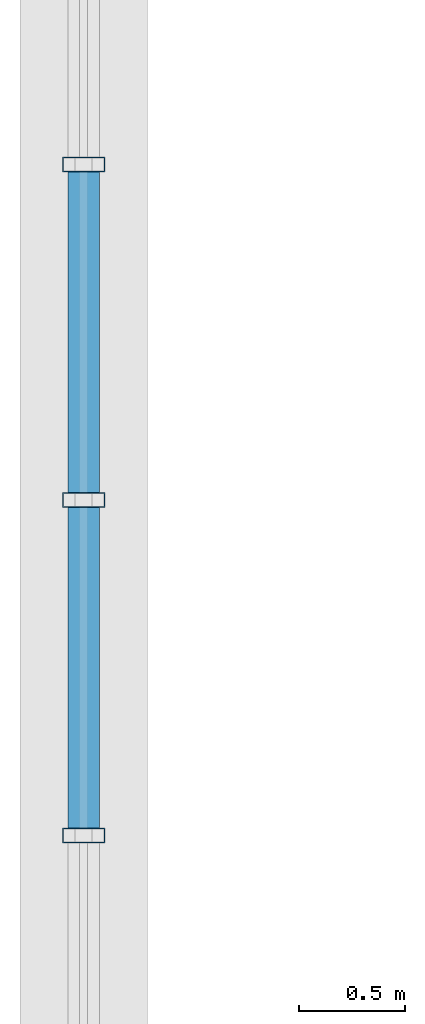
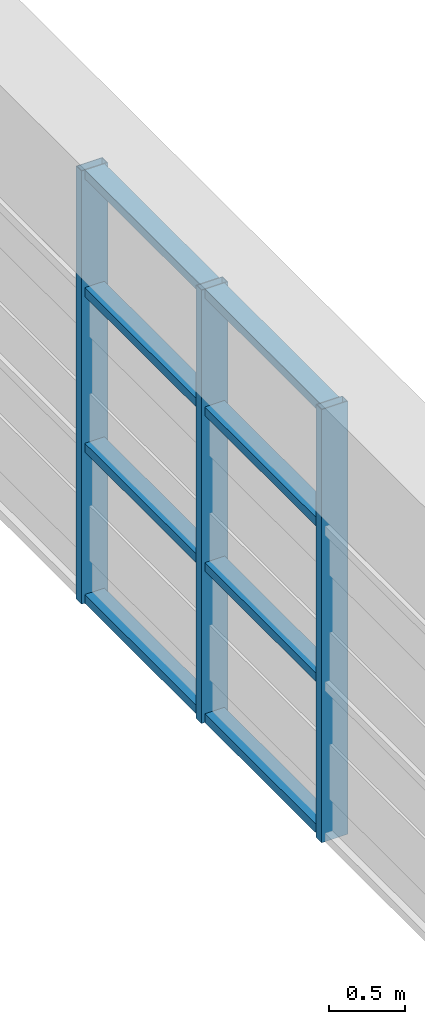
# One storey, part 8 of 27: 11 members, 1 element without a shape of its own.
"""IFC4 building model written with IfcOpenShell, lengths in metres."""

from ifc_helpers import new_model, si_unit, direction, frame, origin, origin_2d, place, context, subcontext, project, spatial, hollow_rectangle, extrude, source, transform, mapped, material, layer, layer_set, material_profile, profile_set, type_object, element, aggregate, save


model = new_model("IFC4")

# Units and contexts
model_context = context("Model", 3, precision=1e-05, world=origin(), true_north=direction((0.0, 1.0)))
body_context = subcontext(model_context, "Body", "Model", "MODEL_VIEW")
ifc_project = project(units=[si_unit("LENGTHUNIT", "METRE"), si_unit("AREAUNIT", "SQUARE_METRE"), si_unit("VOLUMEUNIT", "CUBIC_METRE"), si_unit("PLANEANGLEUNIT", "RADIAN"), si_unit("MASSUNIT", "GRAM", prefix="KILO")], contexts=[model_context])

# Site, building, storey
site_placement = place(None, origin())
site = spatial("IfcSite", under=ifc_project, at=site_placement, CompositionType="ELEMENT")
building_placement = place(site_placement, origin())
building = spatial("IfcBuilding", under=site, at=building_placement, Name="Saelheon Loggia Tower", CompositionType="ELEMENT")
storey_placement = place(building_placement, frame((0.0, 0.0, 256.0)))
storey = spatial("IfcBuildingStorey", under=building, at=storey_placement, Name="CR2", CompositionType="ELEMENT", Elevation=256.0)

# Curtain wall, members
ifc_material_1 = material(Name="Bronze-Anodised Aluminium and Fritted Ceramic Screen", Category="aluminium")
ifc_layer = layer(ifc_material_1, 0.219970703125)
ifc_layer_set = layer_set([ifc_layer], Name="Bronze-Anodised Aluminium and Fritted Ceramic Screen")
curtain_wall_type = type_object("IfcCurtainWallType", Name="CW_CrownScreen", PredefinedType="NOTDEFINED", material=ifc_layer_set)
curtain_wall_placement = place(storey_placement, origin())
curtain_wall = element("IfcCurtainWall", 1, at=curtain_wall_placement, inside=storey, type_object=curtain_wall_type, Name="CR2 Crown Screen Curtain Wall 9-2", PredefinedType="NOTDEFINED")
ifc_material_2 = material(Name="Bronze-Anodised Aluminium 6063-T6", Category="aluminium")
ifc_material_profile_1 = material_profile(ifc_material_2, hollow_rectangle(XDim=0.070068359375, YDim=0.199951171875, WallThickness=0.0048828125, at=origin_2d()), Name="RHS-200x70x5")
ifc_profile_set_1 = profile_set([ifc_material_profile_1], Name="Bronze-Anodised Aluminium 6063-T6")
member_type_1 = type_object("IfcMemberType", Name="CW_CrownScreen_Mullion", PredefinedType="MULLION", material=ifc_profile_set_1)
shared_shape_1 = source(origin(), body_context, "Body", "SweptSolid", [
    extrude(hollow_rectangle(XDim=0.070068359375, YDim=0.199951171875, WallThickness=0.0048828125, at=origin_2d()), origin(), (0.0, 0.0, 1.0), 3.47998046875),
])
member_1_placement = place(storey_placement, frame((23.35009765625, 26.2099609375, 0.0), z_axis=(0.0, 0.0, 1.0), x_axis=(0.0, -1.0, 0.0)))
member_1 = element("IfcMember", 2, at=member_1_placement, type_object=member_type_1, Name="CW6 mullion 7", PredefinedType="MULLION", context=body_context, shape_type="MappedRepresentation", body=[
    mapped(shared_shape_1, transform((0.0, 0.0, 0.0), scale=1.0)),
])
member_2_placement = place(storey_placement, frame((23.35009765625, 24.6298828125, 0.0), z_axis=(0.0, 0.0, 1.0), x_axis=(0.0, -1.0, 0.0)))
member_2 = element("IfcMember", 3, at=member_2_placement, type_object=member_type_1, Name="CW6 mullion 8", PredefinedType="MULLION", context=body_context, shape_type="MappedRepresentation", body=[
    mapped(shared_shape_1, transform((0.0, 0.0, 0.0), scale=1.0)),
])
member_3_placement = place(storey_placement, frame((23.35009765625, 23.050048828125, 0.0), z_axis=(0.0, 0.0, 1.0), x_axis=(0.0, -1.0, 0.0)))
member_3 = element("IfcMember", 4, at=member_3_placement, type_object=member_type_1, Name="CW6 mullion 9", PredefinedType="MULLION", context=body_context, shape_type="MappedRepresentation", body=[
    mapped(shared_shape_1, transform((0.0, 0.0, 0.0), scale=1.0)),
])
ifc_material_profile_2 = material_profile(ifc_material_2, hollow_rectangle(XDim=0.070068359375, YDim=0.14990234375, WallThickness=0.0048828125, at=origin_2d()), Name="RHS-150x70x5")
ifc_profile_set_2 = profile_set([ifc_material_profile_2], Name="Bronze-Anodised Aluminium 6063-T6")
member_type_2 = type_object("IfcMemberType", Name="CW_CrownScreen_Transom", PredefinedType="USERDEFINED", material=ifc_profile_set_2)
shared_shape_2 = source(origin(), body_context, "Body", "SweptSolid", [
    extrude(hollow_rectangle(XDim=0.070068359375, YDim=0.14990234375, WallThickness=0.0048828125, at=origin_2d()), origin(), (0.0, 0.0, 1.0), 1.510009765625),
])
member_4_placement = place(storey_placement, frame((23.35009765625, 26.175048828125, 0.034912109375), z_axis=(0.0, -1.0, 0.0), x_axis=(0.0, 0.0, 1.0)))
member_4 = element("IfcMember", 5, at=member_4_placement, type_object=member_type_2, Name="CW6 transom 7.1", ObjectType="TRANSOM", PredefinedType="USERDEFINED", context=body_context, shape_type="MappedRepresentation", body=[
    mapped(shared_shape_2, transform((0.0, 0.0, 0.0), scale=1.0)),
])
member_5_placement = place(storey_placement, frame((23.35009765625, 26.175048828125, 1.25), z_axis=(0.0, -1.0, 0.0), x_axis=(0.0, 0.0, 1.0)))
member_5 = element("IfcMember", 6, at=member_5_placement, type_object=member_type_2, Name="CW6 transom 7.2", ObjectType="TRANSOM", PredefinedType="USERDEFINED", context=body_context, shape_type="MappedRepresentation", body=[
    mapped(shared_shape_2, transform((0.0, 0.0, 0.0), scale=1.0)),
])
member_6_placement = place(storey_placement, frame((23.35009765625, 26.175048828125, 2.5), z_axis=(0.0, -1.0, 0.0), x_axis=(0.0, 0.0, 1.0)))
member_6 = element("IfcMember", 7, at=member_6_placement, type_object=member_type_2, Name="CW6 transom 7.3", ObjectType="TRANSOM", PredefinedType="USERDEFINED", context=body_context, shape_type="MappedRepresentation", body=[
    mapped(shared_shape_2, transform((0.0, 0.0, 0.0), scale=1.0)),
])
member_7_placement = place(storey_placement, frame((23.35009765625, 26.175048828125, 3.445068359375), z_axis=(0.0, -1.0, 0.0), x_axis=(0.0, 0.0, 1.0)))
member_7 = element("IfcMember", 8, at=member_7_placement, type_object=member_type_2, Name="CW6 transom 7.4", ObjectType="TRANSOM", PredefinedType="USERDEFINED", context=body_context, shape_type="MappedRepresentation", body=[
    mapped(shared_shape_2, transform((0.0, 0.0, 0.0), scale=1.0)),
])
member_8_placement = place(storey_placement, frame((23.35009765625, 24.594970703125, 0.034912109375), z_axis=(0.0, -1.0, 0.0), x_axis=(0.0, 0.0, 1.0)))
member_8 = element("IfcMember", 9, at=member_8_placement, type_object=member_type_2, Name="CW6 transom 8.1", ObjectType="TRANSOM", PredefinedType="USERDEFINED", context=body_context, shape_type="MappedRepresentation", body=[
    mapped(shared_shape_2, transform((0.0, 0.0, 0.0), scale=1.0)),
])
member_9_placement = place(storey_placement, frame((23.35009765625, 24.594970703125, 1.25), z_axis=(0.0, -1.0, 0.0), x_axis=(0.0, 0.0, 1.0)))
member_9 = element("IfcMember", 10, at=member_9_placement, type_object=member_type_2, Name="CW6 transom 8.2", ObjectType="TRANSOM", PredefinedType="USERDEFINED", context=body_context, shape_type="MappedRepresentation", body=[
    mapped(shared_shape_2, transform((0.0, 0.0, 0.0), scale=1.0)),
])
member_10_placement = place(storey_placement, frame((23.35009765625, 24.594970703125, 2.5), z_axis=(0.0, -1.0, 0.0), x_axis=(0.0, 0.0, 1.0)))
member_10 = element("IfcMember", 11, at=member_10_placement, type_object=member_type_2, Name="CW6 transom 8.3", ObjectType="TRANSOM", PredefinedType="USERDEFINED", context=body_context, shape_type="MappedRepresentation", body=[
    mapped(shared_shape_2, transform((0.0, 0.0, 0.0), scale=1.0)),
])
member_11_placement = place(storey_placement, frame((23.35009765625, 24.594970703125, 3.445068359375), z_axis=(0.0, -1.0, 0.0), x_axis=(0.0, 0.0, 1.0)))
member_11 = element("IfcMember", 12, at=member_11_placement, type_object=member_type_2, Name="CW6 transom 8.4", ObjectType="TRANSOM", PredefinedType="USERDEFINED", context=body_context, shape_type="MappedRepresentation", body=[
    mapped(shared_shape_2, transform((0.0, 0.0, 0.0), scale=1.0)),
])
aggregate(curtain_wall, [member_1, member_2, member_3, member_4, member_5, member_6, member_7, member_8, member_9, member_10, member_11])

save(model, "model.ifc")
